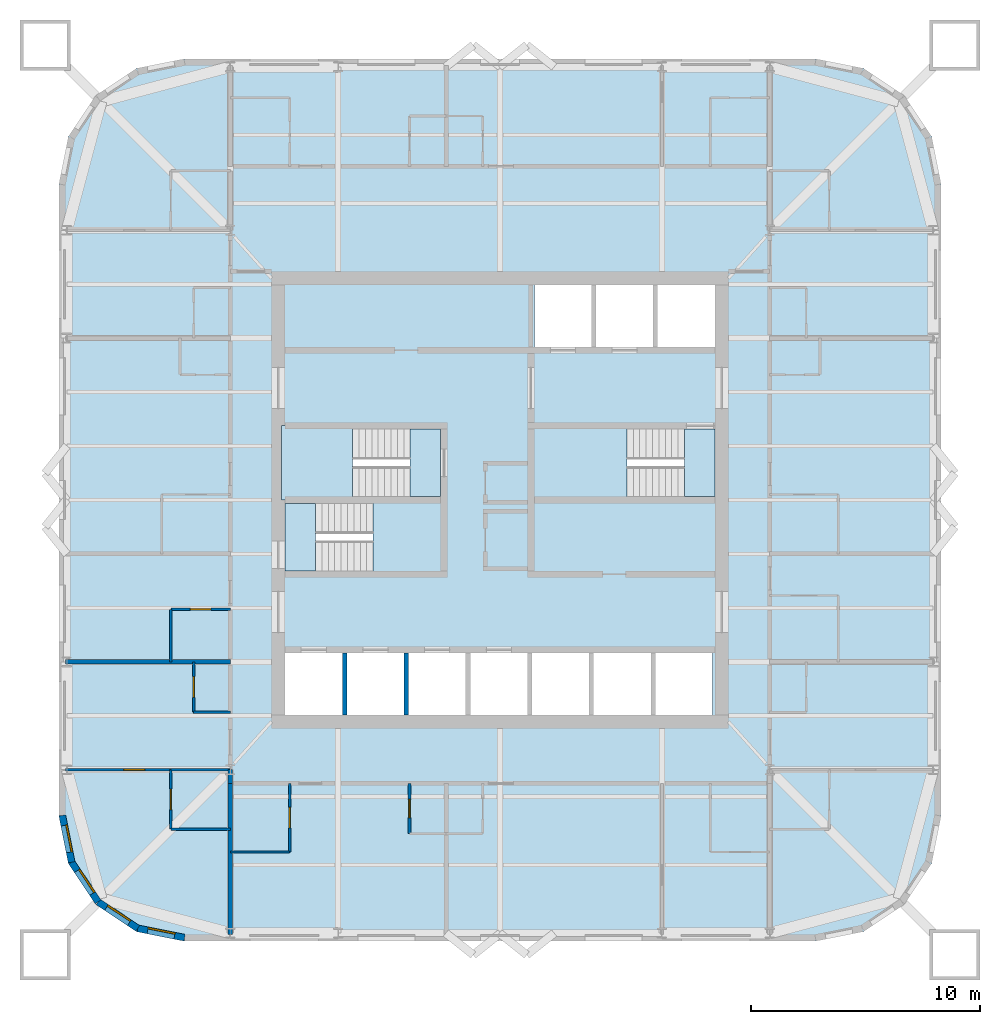
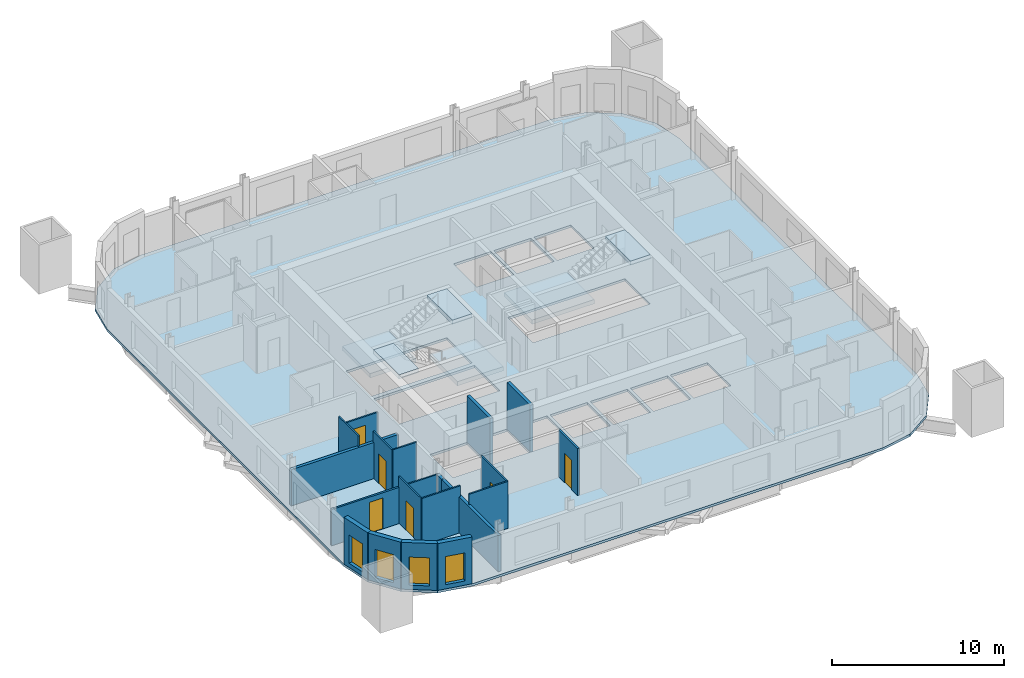
# One storey, part 2 of 8: 20 walls, 7 slabs, 6 doors, 4 windows, 10 openings, 3 elements without a shape of their own.
"""IFC4 building model written with IfcOpenShell, lengths in metres."""

from ifc_helpers import new_model, si_unit, direction, frame, frame_2d, origin, place, context, subcontext, project, spatial, polyline, rectangle, outline, extrude, material, layer, layer_set, type_object, element, fill, aggregate, save


model = new_model("IFC4")

# Units and contexts
model_context = context("Model", 3, precision=1e-05, world=origin(), true_north=direction((0.0, 1.0)))
body_context = subcontext(model_context, "Body", "Model", "MODEL_VIEW")
ifc_project = project(units=[si_unit("LENGTHUNIT", "METRE"), si_unit("AREAUNIT", "SQUARE_METRE"), si_unit("VOLUMEUNIT", "CUBIC_METRE"), si_unit("PLANEANGLEUNIT", "RADIAN"), si_unit("MASSUNIT", "GRAM", prefix="KILO")], contexts=[model_context])

# Site, building, storey
site_placement = place(None, origin())
site = spatial("IfcSite", under=ifc_project, at=site_placement, CompositionType="ELEMENT")
building_placement = place(site_placement, origin())
building = spatial("IfcBuilding", under=site, at=building_placement, Name="Turquesa Mirador Hotel Tower", CompositionType="ELEMENT")
storey_placement = place(building_placement, frame((0.0, 0.0, 193.300048828125)))
storey = spatial("IfcBuildingStorey", under=building, at=storey_placement, Name="L52", CompositionType="ELEMENT", Elevation=193.300048828125)

# Slab
ifc_material_1 = material(Name="Concrete C28/35", Category="concrete")
ifc_layer_1 = layer(ifc_material_1, 0.169921875)
ifc_layer_set_1 = layer_set([ifc_layer_1], Name="COMPOSITE FLOOR SLAB 170")
slab_type_1 = type_object("IfcSlabType", Name="COMPOSITE FLOOR SLAB 170", PredefinedType="FLOOR", material=ifc_layer_set_1)
slab_1_placement = place(storey_placement, frame((0.0, 0.0, -0.170166015625)))
element("IfcSlab", 1, at=slab_1_placement, inside=storey, type_object=slab_type_1, Name="Floor slab L52", PredefinedType="FLOOR", context=body_context, shape_type="SweptSolid", body=[
    extrude(outline(polyline([(68.800048828125, 25.699951171875), (70.90478515625, 26.11865234375), (72.689208984375, 27.310791015625), (73.88134765625, 29.09521484375), (74.300048828125, 31.199951171875), (74.300048828125, 58.800048828125), (73.88134765625, 60.90478515625), (72.689208984375, 62.689208984375), (70.90478515625, 63.88134765625), (68.800048828125, 64.300048828125), (41.199951171875, 64.300048828125), (39.09521484375, 63.88134765625), (37.310791015625, 62.689208984375), (36.11865234375, 60.90478515625), (35.699951171875, 58.800048828125), (35.699951171875, 31.199951171875), (36.11865234375, 29.09521484375), (37.310791015625, 27.310791015625), (39.09521484375, 26.11865234375), (41.199951171875, 25.699951171875), (68.800048828125, 25.699951171875)]), holes=[polyline([(56.5, 51.699951171875), (59.0, 51.699951171875), (59.0, 54.39990234375), (56.5, 54.39990234375), (56.5, 51.699951171875)]), polyline([(59.199951171875, 51.699951171875), (61.699951171875, 51.699951171875), (61.699951171875, 54.39990234375), (59.199951171875, 54.39990234375), (59.199951171875, 51.699951171875)]), polyline([(45.60009765625, 35.60009765625), (48.10009765625, 35.60009765625), (48.10009765625, 38.300048828125), (45.60009765625, 38.300048828125), (45.60009765625, 35.60009765625)]), polyline([(48.300048828125, 35.60009765625), (50.800048828125, 35.60009765625), (50.800048828125, 38.300048828125), (48.300048828125, 38.300048828125), (48.300048828125, 35.60009765625)]), polyline([(51.0, 35.60009765625), (53.5, 35.60009765625), (53.5, 38.300048828125), (51.0, 38.300048828125), (51.0, 35.60009765625)]), polyline([(53.699951171875, 35.60009765625), (56.199951171875, 35.60009765625), (56.199951171875, 38.300048828125), (53.699951171875, 38.300048828125), (53.699951171875, 35.60009765625)]), polyline([(56.39990234375, 35.60009765625), (58.89990234375, 35.60009765625), (58.89990234375, 38.300048828125), (56.39990234375, 38.300048828125), (56.39990234375, 35.60009765625)]), polyline([(59.10009765625, 35.60009765625), (61.60009765625, 35.60009765625), (61.60009765625, 38.300048828125), (59.10009765625, 38.300048828125), (59.10009765625, 35.60009765625)]), polyline([(61.800048828125, 35.60009765625), (64.300048828125, 35.60009765625), (64.300048828125, 38.300048828125), (61.800048828125, 38.300048828125), (61.800048828125, 35.60009765625)]), polyline([(45.60009765625, 45.14990234375), (52.39990234375, 45.14990234375), (52.39990234375, 48.10009765625), (45.60009765625, 48.10009765625), (45.60009765625, 45.14990234375)]), polyline([(45.60009765625, 41.89990234375), (52.39990234375, 41.89990234375), (52.39990234375, 44.85009765625), (45.60009765625, 44.85009765625), (45.60009765625, 41.89990234375)]), polyline([(56.5, 45.14990234375), (64.39990234375, 45.14990234375), (64.39990234375, 48.10009765625), (56.5, 48.10009765625), (56.5, 45.14990234375)]), polyline([(61.89990234375, 51.699951171875), (64.39990234375, 51.699951171875), (64.39990234375, 54.39990234375), (61.89990234375, 54.39990234375), (61.89990234375, 51.699951171875)])]), origin(), (0.0, 0.0, 1.0), 0.170166015625),
])

# Stair, slabs
ifc_material_2 = material(Name="Concrete C35/45", Category="concrete")
stair_type = type_object("IfcStairType", Name="ESCAPE STAIR CORE", PredefinedType="HALF_TURN_STAIR", material=ifc_material_2)
stair_1_placement = place(storey_placement, origin())
stair_1 = element("IfcStair", 2, at=stair_1_placement, inside=storey, type_object=stair_type, Name="Stair ST1 L52 to L53", PredefinedType="HALF_TURN_STAIR")
ifc_material_3 = material(Name="Concrete C35/45", Category="concrete")
ifc_layer_2 = layer(ifc_material_3, 0.300048828125)
ifc_layer_set_2 = layer_set([ifc_layer_2], Name="STAIR LANDING 300")
slab_type_2 = type_object("IfcSlabType", Name="STAIR LANDING 300", PredefinedType="LANDING", material=ifc_layer_set_2)
slab_2_placement = place(storey_placement, frame((0.0, 0.0, 1.449951171875)))
slab_2 = element("IfcSlab", 3, at=slab_2_placement, type_object=slab_type_2, Name="ST1 landing 1", PredefinedType="LANDING", context=body_context, shape_type="SweptSolid", body=[
    extrude(outline(polyline([(45.449951171875, 45.0), (48.550048828125, 45.0), (48.550048828125, 48.25), (45.449951171875, 48.25), (45.449951171875, 45.0)])), origin(), (0.0, 0.0, 1.0), 0.300048828125),
])
slab_3_placement = place(storey_placement, frame((0.0, 0.0, 3.199951171875)))
slab_3 = element("IfcSlab", 4, at=slab_3_placement, type_object=slab_type_2, Name="ST1 landing 2", PredefinedType="LANDING", context=body_context, shape_type="SweptSolid", body=[
    extrude(outline(polyline([(51.070068359375, 45.14990234375), (52.39990234375, 45.14990234375), (52.39990234375, 48.10009765625), (51.070068359375, 48.10009765625), (51.070068359375, 45.14990234375)])), origin(), (0.0, 0.0, 1.0), 0.300048828125),
])
aggregate(stair_1, [slab_2, slab_3])

stair_2_placement = place(storey_placement, origin())
stair_2 = element("IfcStair", 5, at=stair_2_placement, inside=storey, type_object=stair_type, Name="Stair ST2 L52 to L53", PredefinedType="HALF_TURN_STAIR")
slab_4_placement = place(storey_placement, frame((0.0, 0.0, 1.449951171875)))
slab_4 = element("IfcSlab", 6, at=slab_4_placement, type_object=slab_type_2, Name="ST2 landing 1", PredefinedType="LANDING", context=body_context, shape_type="SweptSolid", body=[
    extrude(outline(polyline([(52.550048828125, 45.0), (49.449951171875, 45.0), (49.449951171875, 41.75), (52.550048828125, 41.75), (52.550048828125, 45.0)])), origin(), (0.0, 0.0, 1.0), 0.300048828125),
])
slab_5_placement = place(storey_placement, frame((0.0, 0.0, 3.199951171875)))
slab_5 = element("IfcSlab", 7, at=slab_5_placement, type_object=slab_type_2, Name="ST2 landing 2", PredefinedType="LANDING", context=body_context, shape_type="SweptSolid", body=[
    extrude(outline(polyline([(46.929931640625, 44.85009765625), (45.60009765625, 44.85009765625), (45.60009765625, 41.89990234375), (46.929931640625, 41.89990234375), (46.929931640625, 44.85009765625)])), origin(), (0.0, 0.0, 1.0), 0.300048828125),
])
aggregate(stair_2, [slab_4, slab_5])

stair_3_placement = place(storey_placement, origin())
stair_3 = element("IfcStair", 8, at=stair_3_placement, inside=storey, type_object=stair_type, Name="Stair ST3 L52 to L53", PredefinedType="HALF_TURN_STAIR")
slab_6_placement = place(storey_placement, frame((0.0, 0.0, 1.449951171875)))
slab_6 = element("IfcSlab", 9, at=slab_6_placement, type_object=slab_type_2, Name="ST3 landing 1", PredefinedType="LANDING", context=body_context, shape_type="SweptSolid", body=[
    extrude(outline(polyline([(56.35009765625, 45.0), (60.550048828125, 45.0), (60.550048828125, 48.25), (56.35009765625, 48.25), (56.35009765625, 45.0)])), origin(), (0.0, 0.0, 1.0), 0.300048828125),
])
slab_7_placement = place(storey_placement, frame((0.0, 0.0, 3.199951171875)))
slab_7 = element("IfcSlab", 10, at=slab_7_placement, type_object=slab_type_2, Name="ST3 landing 2", PredefinedType="LANDING", context=body_context, shape_type="SweptSolid", body=[
    extrude(outline(polyline([(63.070068359375, 45.14990234375), (64.39990234375, 45.14990234375), (64.39990234375, 48.10009765625), (63.070068359375, 48.10009765625), (63.070068359375, 45.14990234375)])), origin(), (0.0, 0.0, 1.0), 0.300048828125),
])
aggregate(stair_3, [slab_6, slab_7])

# Walls
ifc_material_4 = material(Name="Gypsum board on steel studs", Category="steel")
ifc_layer_3 = layer(ifc_material_4, 0.10009765625)
ifc_layer_set_3 = layer_set([ifc_layer_3], Name="BATHROOM WALL 100")
wall_type_1 = type_object("IfcWallType", Name="BATHROOM WALL 100", PredefinedType="PARTITIONING", material=ifc_layer_set_3)
wall_1_placement = place(storey_placement, frame((40.60009765625, 33.199951171875, 0.0), z_axis=(0.0, 0.0, 1.0), x_axis=(1.0, 0.0, 0.0)))
element("IfcWall", 11, at=wall_1_placement, inside=storey, type_object=wall_type_1, Name="Partition L52 001", PredefinedType="PARTITIONING", context=body_context, shape_type="SweptSolid", body=[
    extrude(rectangle(XDim=2.599853515625, YDim=0.10009765625, at=frame_2d((1.2998046875, 0.0))), origin(), (0.0, 0.0, 1.0), 2.572998046875),
])
wall_2_placement = place(storey_placement, frame((40.60009765625, 30.60009765625, 0.0), z_axis=(0.0, 0.0, 1.0), x_axis=(1.0, 0.0, 0.0)))
element("IfcWall", 12, at=wall_2_placement, inside=storey, type_object=wall_type_1, Name="Partition L52 006", PredefinedType="PARTITIONING", context=body_context, shape_type="SweptSolid", body=[
    extrude(rectangle(XDim=2.599853515625, YDim=0.10009765625, at=frame_2d((1.2998046875, 0.0))), origin(), (0.0, 0.0, 1.0), 3.329833984375),
])
wall_3_placement = place(storey_placement, frame((43.199951171875, 29.60009765625, 0.0), z_axis=(0.0, 0.0, 1.0), x_axis=(1.0, 0.0, 0.0)))
element("IfcWall", 13, at=wall_3_placement, inside=storey, type_object=wall_type_1, Name="Partition L52 010", PredefinedType="PARTITIONING", context=body_context, shape_type="SweptSolid", body=[
    extrude(rectangle(XDim=2.60009765625, YDim=0.10009765625, at=frame_2d((1.300048828125, 0.0))), origin(), (0.0, 0.0, 1.0), 3.329833984375),
])

# Wall, opening, door
wall_4_placement = place(storey_placement, frame((40.60009765625, 40.219970703125, 0.0), z_axis=(0.0, 0.0, 1.0), x_axis=(1.0, 0.0, 0.0)))
wall_4 = element("IfcWall", 14, at=wall_4_placement, inside=storey, type_object=wall_type_1, Name="Partition L52 015", PredefinedType="PARTITIONING", context=body_context, shape_type="SweptSolid", body=[
    extrude(rectangle(XDim=2.599853515625, YDim=0.10009765625, at=frame_2d((1.2998046875, 0.0))), origin(), (0.0, 0.0, 1.0), 2.73046875),
])
opening_1_placement = place(wall_4_placement, frame((0.85009765625, 0.0, 0.0)))
opening_1 = element("IfcOpeningElement", 15, at=opening_1_placement, cuts=wall_4, Name="Opening D02", PredefinedType="OPENING", context=body_context, shape_type="SweptSolid", body=[
    extrude(rectangle(XDim=0.89990234375, YDim=2.10009765625, at=frame_2d((0.449951171875, 1.050048828125))), frame((0.0, 0.06005859375, 0.0), z_axis=(0.0, -1.0, 0.0), x_axis=(1.0, 0.0, 0.0)), (0.0, 0.0, 1.0), 0.1201171875),
])
ifc_material_5 = material(Name="Timber veneered door", Category="wood")
door_type_1 = type_object("IfcDoorType", Name="DOOR 900X2100 EN-SUITE", OperationType="SINGLE_SWING_RIGHT", PredefinedType="DOOR", material=ifc_material_5)
door_1_placement = place(opening_1_placement, origin())
door_1 = element("IfcDoor", 16, at=door_1_placement, inside=storey, type_object=door_type_1, Name="Door 5207B", OperationType="SINGLE_SWING_RIGHT", OverallHeight=2.10009765625, OverallWidth=0.89990234375, PredefinedType="DOOR", context=body_context, shape_type="SweptSolid", body=[
    extrude(rectangle(XDim=0.89990234375, YDim=2.10009765625, at=frame_2d((0.449951171875, 1.050048828125))), frame((0.0, 0.02490234375, 0.0), z_axis=(0.0, -1.0, 0.0), x_axis=(1.0, 0.0, 0.0)), (0.0, 0.0, 1.0), 0.050048828125),
])
fill(opening_1, door_1)

# Wall
wall_5_placement = place(storey_placement, frame((41.60009765625, 35.719970703125, 0.0), z_axis=(0.0, 0.0, 1.0), x_axis=(1.0, 0.0, 0.0)))
element("IfcWall", 17, at=wall_5_placement, inside=storey, type_object=wall_type_1, Name="Partition L52 018", PredefinedType="PARTITIONING", context=body_context, shape_type="SweptSolid", body=[
    extrude(rectangle(XDim=1.599853515625, YDim=0.10009765625, at=frame_2d((0.7998046875, 0.0))), origin(), (0.0, 0.0, 1.0), 3.329833984375),
])

# Wall, opening, door
wall_6_placement = place(storey_placement, frame((41.60009765625, 35.719970703125, 0.0), z_axis=(0.0, 0.0, 1.0), x_axis=(0.0, 1.0, 0.0)))
wall_6 = element("IfcWall", 18, at=wall_6_placement, inside=storey, type_object=wall_type_1, Name="Partition L52 046", PredefinedType="PARTITIONING", context=body_context, shape_type="SweptSolid", body=[
    extrude(rectangle(XDim=2.199951171875, YDim=0.10009765625, at=frame_2d((1.10009765625, 0.0))), origin(), (0.0, 0.0, 1.0), 3.329833984375),
])
opening_2_placement = place(wall_6_placement, frame((0.64990234375, 0.0, 0.0)))
opening_2 = element("IfcOpeningElement", 19, at=opening_2_placement, cuts=wall_6, Name="Opening D06", PredefinedType="OPENING", context=body_context, shape_type="SweptSolid", body=[
    extrude(rectangle(XDim=0.89990234375, YDim=2.10009765625, at=frame_2d((0.449951171875, 1.050048828125))), frame((0.0, 0.06005859375, 0.0), z_axis=(0.0, -1.0, 0.0), x_axis=(1.0, 0.0, 0.0)), (0.0, 0.0, 1.0), 0.1201171875),
])
ifc_material_6 = material(Name="Laminate door", Category="wood")
door_type_2 = type_object("IfcDoorType", Name="DOOR 900X2100 WC", OperationType="SINGLE_SWING_LEFT", PredefinedType="DOOR", material=ifc_material_6)
door_2_placement = place(opening_2_placement, origin())
door_2 = element("IfcDoor", 20, at=door_2_placement, inside=storey, type_object=door_type_2, Name="Door 5211W", OperationType="SINGLE_SWING_LEFT", OverallHeight=2.10009765625, OverallWidth=0.89990234375, PredefinedType="DOOR", context=body_context, shape_type="SweptSolid", body=[
    extrude(rectangle(XDim=0.89990234375, YDim=2.10009765625, at=frame_2d((0.449951171875, 1.050048828125))), frame((0.0, 0.02490234375, 0.0), z_axis=(0.0, -1.0, 0.0), x_axis=(1.0, 0.0, 0.0)), (0.0, 0.0, 1.0), 0.050048828125),
])
fill(opening_2, door_2)

wall_7_placement = place(storey_placement, frame((40.60009765625, 30.60009765625, 0.0), z_axis=(0.0, 0.0, 1.0), x_axis=(0.0, 1.0, 0.0)))
wall_7 = element("IfcWall", 21, at=wall_7_placement, inside=storey, type_object=wall_type_1, Name="Partition L52 049", PredefinedType="PARTITIONING", context=body_context, shape_type="SweptSolid", body=[
    extrude(rectangle(XDim=2.599853515625, YDim=0.10009765625, at=frame_2d((1.2998046875, 0.0))), origin(), (0.0, 0.0, 1.0), 3.329833984375),
])
opening_3_placement = place(wall_7_placement, frame((0.85009765625, 0.0, 0.0)))
opening_3 = element("IfcOpeningElement", 22, at=opening_3_placement, cuts=wall_7, Name="Opening D02", PredefinedType="OPENING", context=body_context, shape_type="SweptSolid", body=[
    extrude(rectangle(XDim=0.89990234375, YDim=2.10009765625, at=frame_2d((0.449951171875, 1.050048828125))), frame((0.0, 0.06005859375, 0.0), z_axis=(0.0, -1.0, 0.0), x_axis=(1.0, 0.0, 0.0)), (0.0, 0.0, 1.0), 0.1201171875),
])
door_3_placement = place(opening_3_placement, origin())
door_3 = element("IfcDoor", 23, at=door_3_placement, inside=storey, type_object=door_type_1, Name="Door 5211B", OperationType="SINGLE_SWING_RIGHT", OverallHeight=2.10009765625, OverallWidth=0.89990234375, PredefinedType="DOOR", context=body_context, shape_type="SweptSolid", body=[
    extrude(rectangle(XDim=0.89990234375, YDim=2.10009765625, at=frame_2d((0.449951171875, 1.050048828125))), frame((0.0, 0.02490234375, 0.0), z_axis=(0.0, -1.0, 0.0), x_axis=(1.0, 0.0, 0.0)), (0.0, 0.0, 1.0), 0.050048828125),
])
fill(opening_3, door_3)

# Wall
wall_8_placement = place(storey_placement, frame((40.60009765625, 37.919921875, 0.0), z_axis=(0.0, 0.0, 1.0), x_axis=(0.0, 1.0, 0.0)))
element("IfcWall", 24, at=wall_8_placement, inside=storey, type_object=wall_type_1, Name="Partition L52 050", PredefinedType="PARTITIONING", context=body_context, shape_type="SweptSolid", body=[
    extrude(rectangle(XDim=2.300048828125, YDim=0.10009765625, at=frame_2d((1.14990234375, 0.0))), origin(), (0.0, 0.0, 1.0), 3.329833984375),
])

# Wall, opening, door
wall_9_placement = place(storey_placement, frame((45.800048828125, 29.60009765625, 0.0), z_axis=(0.0, 0.0, 1.0), x_axis=(0.0, 1.0, 0.0)))
wall_9 = element("IfcWall", 25, at=wall_9_placement, inside=storey, type_object=wall_type_1, Name="Partition L52 057", PredefinedType="PARTITIONING", context=body_context, shape_type="SweptSolid", body=[
    extrude(rectangle(XDim=3.0, YDim=0.10009765625, at=frame_2d((1.5, 0.0))), origin(), (0.0, 0.0, 1.0), 3.329833984375),
])
opening_4_placement = place(wall_9_placement, frame((1.050048828125, 0.0, 0.0)))
opening_4 = element("IfcOpeningElement", 26, at=opening_4_placement, cuts=wall_9, Name="Opening D02", PredefinedType="OPENING", context=body_context, shape_type="SweptSolid", body=[
    extrude(rectangle(XDim=0.89990234375, YDim=2.10009765625, at=frame_2d((0.449951171875, 1.050048828125))), frame((0.0, 0.06005859375, 0.0), z_axis=(0.0, -1.0, 0.0), x_axis=(1.0, 0.0, 0.0)), (0.0, 0.0, 1.0), 0.1201171875),
])
door_4_placement = place(opening_4_placement, origin())
door_4 = element("IfcDoor", 27, at=door_4_placement, inside=storey, type_object=door_type_1, Name="Door 5203B", OperationType="SINGLE_SWING_RIGHT", OverallHeight=2.10009765625, OverallWidth=0.89990234375, PredefinedType="DOOR", context=body_context, shape_type="SweptSolid", body=[
    extrude(rectangle(XDim=0.89990234375, YDim=2.10009765625, at=frame_2d((0.449951171875, 1.050048828125))), frame((0.0, 0.02490234375, 0.0), z_axis=(0.0, -1.0, 0.0), x_axis=(1.0, 0.0, 0.0)), (0.0, 0.0, 1.0), 0.050048828125),
])
fill(opening_4, door_4)

# Wall
ifc_material_7 = material(Name="Fire-rated gypsum board on steel studs", Category="steel")
ifc_layer_4 = layer(ifc_material_7, 0.199951171875)
ifc_layer_set_4 = layer_set([ifc_layer_4], Name="CORRIDOR WALL 200")
wall_type_2 = type_object("IfcWallType", Name="CORRIDOR WALL 200", PredefinedType="PARTITIONING", material=ifc_layer_set_4)
wall_10_placement = place(storey_placement, frame((43.199951171875, 32.60009765625, 0.0), z_axis=(0.0, 0.0, 1.0), x_axis=(0.0, 1.0, 0.0)))
element("IfcWall", 28, at=wall_10_placement, inside=storey, type_object=wall_type_2, Name="Partition L52 073", PredefinedType="PARTITIONING", context=body_context, shape_type="SweptSolid", body=[
    extrude(rectangle(XDim=0.619873046875, YDim=0.199951171875, at=frame_2d((0.31005859375, 0.0))), origin(), (0.0, 0.0, 1.0), 2.572998046875),
])

# Wall, opening, window
ifc_material_8 = material(Name="Limestone cladding on concrete block", Category="masonry")
ifc_layer_5 = layer(ifc_material_8, 0.300048828125)
ifc_layer_set_5 = layer_set([ifc_layer_5], Name="FACADE WALL 300 STONE SCREEN")
wall_type_3 = type_object("IfcWallType", Name="FACADE WALL 300 STONE SCREEN", PredefinedType="SOLIDWALL", material=ifc_layer_set_5)
wall_11_placement = place(storey_placement, frame((35.85009765625, 31.199951171875, 0.0), z_axis=(0.0, 0.0, 1.0), x_axis=(0.195081421501, -0.980787050784, 0.0)))
wall_11 = element("IfcWall", 29, at=wall_11_placement, inside=storey, type_object=wall_type_3, Name="Facade wall L52 15", PredefinedType="SOLIDWALL", context=body_context, shape_type="SweptSolid", body=[
    extrude(rectangle(XDim=2.08740234375, YDim=0.300048828125, at=frame_2d((1.043701171875, 0.0))), origin(), (0.0, 0.0, 1.0), 3.329833984375),
])
opening_5_placement = place(wall_11_placement, frame((0.443603515625, 0.0, 0.300048828125)))
opening_5 = element("IfcOpeningElement", 30, at=opening_5_placement, cuts=wall_11, Name="Opening WN4", PredefinedType="OPENING", context=body_context, shape_type="SweptSolid", body=[
    extrude(rectangle(XDim=1.199951171875, YDim=2.0, at=frame_2d((0.60009765625, 1.0))), frame((0.0, 0.159912109375, 0.0), z_axis=(0.0, -1.0, 0.0), x_axis=(1.0, 0.0, 0.0)), (0.0, 0.0, 1.0), 0.320068359375),
])
ifc_material_9 = material(Name="Ceramic-fritted laminated glass", Category="glass")
window_type = type_object("IfcWindowType", Name="FRITTED CORNER WINDOW 1200X2000", PartitioningType="DOUBLE_PANEL_HORIZONTAL", PredefinedType="WINDOW", material=ifc_material_9)
window_1_placement = place(opening_5_placement, origin())
window_1 = element("IfcWindow", 31, at=window_1_placement, inside=storey, type_object=window_type, Name="Window L52", OverallHeight=2.0, OverallWidth=1.199951171875, PartitioningType="SINGLE_PANEL", PredefinedType="WINDOW", context=body_context, shape_type="SweptSolid", body=[
    extrude(rectangle(XDim=1.199951171875, YDim=2.0, at=frame_2d((0.60009765625, 1.0))), frame((0.0, 0.130126953125, 0.0), z_axis=(0.0, -1.0, 0.0), x_axis=(1.0, 0.0, 0.0)), (0.0, 0.0, 1.0), 0.06005859375),
])
fill(opening_5, window_1)

wall_12_placement = place(storey_placement, frame((36.25732421875, 29.152587890625, 0.0), z_axis=(0.0, 0.0, 1.0), x_axis=(0.555563607591, -0.831474039234, 0.0)))
wall_12 = element("IfcWall", 32, at=wall_12_placement, inside=storey, type_object=wall_type_3, Name="Facade wall L52 16", PredefinedType="SOLIDWALL", context=body_context, shape_type="SweptSolid", body=[
    extrude(rectangle(XDim=2.08740234375, YDim=0.300048828125, at=frame_2d((1.043701171875, 0.0))), origin(), (0.0, 0.0, 1.0), 3.329833984375),
])
opening_6_placement = place(wall_12_placement, frame((0.443603515625, 0.0, 0.300048828125)))
opening_6 = element("IfcOpeningElement", 33, at=opening_6_placement, cuts=wall_12, Name="Opening WN4", PredefinedType="OPENING", context=body_context, shape_type="SweptSolid", body=[
    extrude(rectangle(XDim=1.199951171875, YDim=2.0, at=frame_2d((0.60009765625, 1.0))), frame((0.0, 0.159912109375, 0.0), z_axis=(0.0, -1.0, 0.0), x_axis=(1.0, 0.0, 0.0)), (0.0, 0.0, 1.0), 0.320068359375),
])
window_2_placement = place(opening_6_placement, origin())
window_2 = element("IfcWindow", 34, at=window_2_placement, inside=storey, type_object=window_type, Name="Window L52", OverallHeight=2.0, OverallWidth=1.199951171875, PartitioningType="SINGLE_PANEL", PredefinedType="WINDOW", context=body_context, shape_type="SweptSolid", body=[
    extrude(rectangle(XDim=1.199951171875, YDim=2.0, at=frame_2d((0.60009765625, 1.0))), frame((0.0, 0.130126953125, 0.0), z_axis=(0.0, -1.0, 0.0), x_axis=(1.0, 0.0, 0.0)), (0.0, 0.0, 1.0), 0.06005859375),
])
fill(opening_6, window_2)

wall_13_placement = place(storey_placement, frame((37.4169921875, 27.4169921875, 0.0), z_axis=(0.0, 0.0, 1.0), x_axis=(0.831474039234, -0.555563607591, 0.0)))
wall_13 = element("IfcWall", 35, at=wall_13_placement, inside=storey, type_object=wall_type_3, Name="Facade wall L52 17", PredefinedType="SOLIDWALL", context=body_context, shape_type="SweptSolid", body=[
    extrude(rectangle(XDim=2.08740234375, YDim=0.300048828125, at=frame_2d((1.043701171875, 0.0))), origin(), (0.0, 0.0, 1.0), 3.329833984375),
])
opening_7_placement = place(wall_13_placement, frame((0.443603515625, 0.0, 0.300048828125)))
opening_7 = element("IfcOpeningElement", 36, at=opening_7_placement, cuts=wall_13, Name="Opening WN4", PredefinedType="OPENING", context=body_context, shape_type="SweptSolid", body=[
    extrude(rectangle(XDim=1.199951171875, YDim=2.0, at=frame_2d((0.60009765625, 1.0))), frame((0.0, 0.159912109375, 0.0), z_axis=(0.0, -1.0, 0.0), x_axis=(1.0, 0.0, 0.0)), (0.0, 0.0, 1.0), 0.320068359375),
])
window_3_placement = place(opening_7_placement, origin())
window_3 = element("IfcWindow", 37, at=window_3_placement, inside=storey, type_object=window_type, Name="Window L52", OverallHeight=2.0, OverallWidth=1.199951171875, PartitioningType="SINGLE_PANEL", PredefinedType="WINDOW", context=body_context, shape_type="SweptSolid", body=[
    extrude(rectangle(XDim=1.199951171875, YDim=2.0, at=frame_2d((0.60009765625, 1.0))), frame((0.0, 0.130126953125, 0.0), z_axis=(0.0, -1.0, 0.0), x_axis=(1.0, 0.0, 0.0)), (0.0, 0.0, 1.0), 0.06005859375),
])
fill(opening_7, window_3)

wall_14_placement = place(storey_placement, frame((39.152587890625, 26.25732421875, 0.0), z_axis=(0.0, 0.0, 1.0), x_axis=(0.980787050784, -0.195081421501, 0.0)))
wall_14 = element("IfcWall", 38, at=wall_14_placement, inside=storey, type_object=wall_type_3, Name="Facade wall L52 18", PredefinedType="SOLIDWALL", context=body_context, shape_type="SweptSolid", body=[
    extrude(rectangle(XDim=2.08740234375, YDim=0.300048828125, at=frame_2d((1.043701171875, 0.0))), origin(), (0.0, 0.0, 1.0), 3.329833984375),
])
opening_8_placement = place(wall_14_placement, frame((0.443603515625, 0.0, 0.300048828125)))
opening_8 = element("IfcOpeningElement", 39, at=opening_8_placement, cuts=wall_14, Name="Opening WN4", PredefinedType="OPENING", context=body_context, shape_type="SweptSolid", body=[
    extrude(rectangle(XDim=1.199951171875, YDim=2.0, at=frame_2d((0.60009765625, 1.0))), frame((0.0, 0.159912109375, 0.0), z_axis=(0.0, -1.0, 0.0), x_axis=(1.0, 0.0, 0.0)), (0.0, 0.0, 1.0), 0.320068359375),
])
window_4_placement = place(opening_8_placement, origin())
window_4 = element("IfcWindow", 40, at=window_4_placement, inside=storey, type_object=window_type, Name="Window L52", OverallHeight=2.0, OverallWidth=1.199951171875, PartitioningType="SINGLE_PANEL", PredefinedType="WINDOW", context=body_context, shape_type="SweptSolid", body=[
    extrude(rectangle(XDim=1.199951171875, YDim=2.0, at=frame_2d((0.60009765625, 1.0))), frame((0.0, 0.130126953125, 0.0), z_axis=(0.0, -1.0, 0.0), x_axis=(1.0, 0.0, 0.0)), (0.0, 0.0, 1.0), 0.06005859375),
])
fill(opening_8, window_4)

# Walls
ifc_material_10 = material(Name="Fire-rated gypsum shaft wall on steel studs", Category="steel")
ifc_layer_6 = layer(ifc_material_10, 0.199951171875)
ifc_layer_set_6 = layer_set([ifc_layer_6], Name="LIFT SHAFT DIVIDER 200")
wall_type_4 = type_object("IfcWallType", Name="LIFT SHAFT DIVIDER 200", PredefinedType="PARTITIONING", material=ifc_layer_set_6)
for number, where, z_axis, x_axis, name in (
    (41, (48.199951171875, 35.60009765625, 0.0), (0.0, 0.0, 1.0), (0.0, 1.0, 0.0), "Lift shaft divider"),
    (42, (50.89990234375, 35.60009765625, 0.0), (0.0, 0.0, 1.0), (0.0, 1.0, 0.0), "Lift shaft divider"),
):
    element("IfcWall", number, at=place(storey_placement, frame(where, z_axis=z_axis, x_axis=x_axis)), inside=storey, type_object=wall_type_4, Name=name, PredefinedType="PARTITIONING", context=body_context, shape_type="SweptSolid", body=[
        extrude(rectangle(XDim=2.699951171875, YDim=0.199951171875, at=frame_2d((1.35009765625, 0.0))), origin(), (0.0, 0.0, 1.0), 3.329833984375),
    ])
ifc_material_11 = material(Name="Fire-rated gypsum board on steel studs", Category="steel")
ifc_layer_7 = layer(ifc_material_11, 0.199951171875)
ifc_layer_set_7 = layer_set([ifc_layer_7], Name="PARTY WALL 200")
wall_type_5 = type_object("IfcWallType", Name="PARTY WALL 200", PredefinedType="PARTITIONING", material=ifc_layer_set_7)
wall_15_placement = place(storey_placement, frame((36.0, 37.919921875, 0.0), z_axis=(0.0, 0.0, 1.0), x_axis=(1.0, 0.0, 0.0)))
element("IfcWall", 43, at=wall_15_placement, inside=storey, type_object=wall_type_5, Name="Partition L52 016", PredefinedType="PARTITIONING", context=body_context, shape_type="SweptSolid", body=[
    extrude(rectangle(XDim=7.199951171875, YDim=0.199951171875, at=frame_2d((3.60009765625, 0.0))), origin(), (0.0, 0.0, 1.0), 2.572998046875),
])
wall_16_placement = place(storey_placement, frame((43.199951171875, 26.0, 0.0), z_axis=(0.0, 0.0, 1.0), x_axis=(0.0, 1.0, 0.0)))
element("IfcWall", 44, at=wall_16_placement, inside=storey, type_object=wall_type_5, Name="Partition L52 044", PredefinedType="PARTITIONING", context=body_context, shape_type="SweptSolid", body=[
    extrude(rectangle(XDim=6.60009765625, YDim=0.199951171875, at=frame_2d((3.300048828125, 0.0))), origin(), (0.0, 0.0, 1.0), 2.572998046875),
])

# Wall, opening, door
ifc_material_12 = material(Name="Acoustic gypsum board on steel studs", Category="steel")
ifc_layer_8 = layer(ifc_material_12, 0.125)
ifc_layer_set_8 = layer_set([ifc_layer_8], Name="SUITE PARTITION 125")
wall_type_6 = type_object("IfcWallType", Name="SUITE PARTITION 125", PredefinedType="PARTITIONING", material=ifc_layer_set_8)
wall_17_placement = place(storey_placement, frame((36.0, 33.199951171875, 0.0), z_axis=(0.0, 0.0, 1.0), x_axis=(1.0, 0.0, 0.0)))
wall_17 = element("IfcWall", 45, at=wall_17_placement, inside=storey, type_object=wall_type_6, Name="Partition L52 003", PredefinedType="PARTITIONING", context=body_context, shape_type="SweptSolid", body=[
    extrude(rectangle(XDim=4.60009765625, YDim=0.125, at=frame_2d((2.300048828125, 0.0))), origin(), (0.0, 0.0, 1.0), 2.572998046875),
])
opening_9_placement = place(wall_17_placement, frame((2.550048828125, 0.0, 0.0)))
opening_9 = element("IfcOpeningElement", 46, at=opening_9_placement, cuts=wall_17, Name="Opening D17", PredefinedType="OPENING", context=body_context, shape_type="SweptSolid", body=[
    extrude(rectangle(XDim=0.89990234375, YDim=2.199951171875, at=frame_2d((0.449951171875, 1.10009765625))), frame((0.0, 0.072509765625, 0.0), z_axis=(0.0, -1.0, 0.0), x_axis=(1.0, 0.0, 0.0)), (0.0, 0.0, 1.0), 0.14501953125),
])
ifc_material_13 = material(Name="Timber veneered door", Category="wood")
door_type_3 = type_object("IfcDoorType", Name="DOOR 900X2200 SUITE INTERNAL", OperationType="SINGLE_SWING_LEFT", PredefinedType="DOOR", material=ifc_material_13)
door_5_placement = place(opening_9_placement, origin())
door_5 = element("IfcDoor", 47, at=door_5_placement, inside=storey, type_object=door_type_3, Name="Door 5211R", OperationType="SINGLE_SWING_LEFT", OverallHeight=2.199951171875, OverallWidth=0.89990234375, PredefinedType="DOOR", context=body_context, shape_type="SweptSolid", body=[
    extrude(rectangle(XDim=0.89990234375, YDim=2.199951171875, at=frame_2d((0.449951171875, 1.10009765625))), frame((0.0, 0.02490234375, 0.0), z_axis=(0.0, -1.0, 0.0), x_axis=(1.0, 0.0, 0.0)), (0.0, 0.0, 1.0), 0.050048828125),
])
fill(opening_9, door_5)

wall_18_placement = place(storey_placement, frame((51.0400390625, 30.39990234375, 0.0), z_axis=(0.0, 0.0, 1.0), x_axis=(0.0, 1.0, 0.0)))
wall_18 = element("IfcWall", 48, at=wall_18_placement, inside=storey, type_object=wall_type_6, Name="Partition L52 055", PredefinedType="PARTITIONING", context=body_context, shape_type="SweptSolid", body=[
    extrude(rectangle(XDim=2.2001953125, YDim=0.125, at=frame_2d((1.10009765625, 0.0))), origin(), (0.0, 0.0, 1.0), 3.329833984375),
])
opening_10_placement = place(wall_18_placement, frame((0.699951171875, 0.0, 0.0)))
opening_10 = element("IfcOpeningElement", 49, at=opening_10_placement, cuts=wall_18, Name="Opening D20", PredefinedType="OPENING", context=body_context, shape_type="SweptSolid", body=[
    extrude(rectangle(XDim=0.800048828125, YDim=2.10009765625, at=frame_2d((0.39990234375, 1.050048828125))), frame((0.0, 0.072509765625, 0.0), z_axis=(0.0, -1.0, 0.0), x_axis=(1.0, 0.0, 0.0)), (0.0, 0.0, 1.0), 0.14501953125),
])
ifc_material_14 = material(Name="Timber veneered sliding door", Category="wood")
door_type_4 = type_object("IfcDoorType", Name="DOOR 800X2100 WARDROBE", OperationType="SLIDING_TO_LEFT", PredefinedType="DOOR", material=ifc_material_14)
door_6_placement = place(opening_10_placement, origin())
door_6 = element("IfcDoor", 50, at=door_6_placement, inside=storey, type_object=door_type_4, Name="Door 5203W", OperationType="SLIDING_TO_LEFT", OverallHeight=2.10009765625, OverallWidth=0.800048828125, PredefinedType="DOOR", context=body_context, shape_type="SweptSolid", body=[
    extrude(rectangle(XDim=0.800048828125, YDim=2.10009765625, at=frame_2d((0.39990234375, 1.050048828125))), frame((0.0, 0.02490234375, 0.0), z_axis=(0.0, -1.0, 0.0), x_axis=(1.0, 0.0, 0.0)), (0.0, 0.0, 1.0), 0.050048828125),
])
fill(opening_10, door_6)

save(model, "model.ifc")
